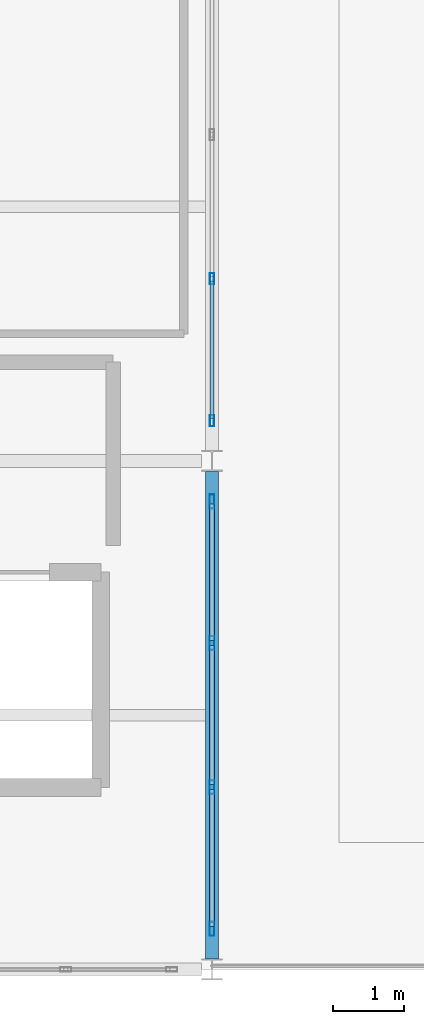
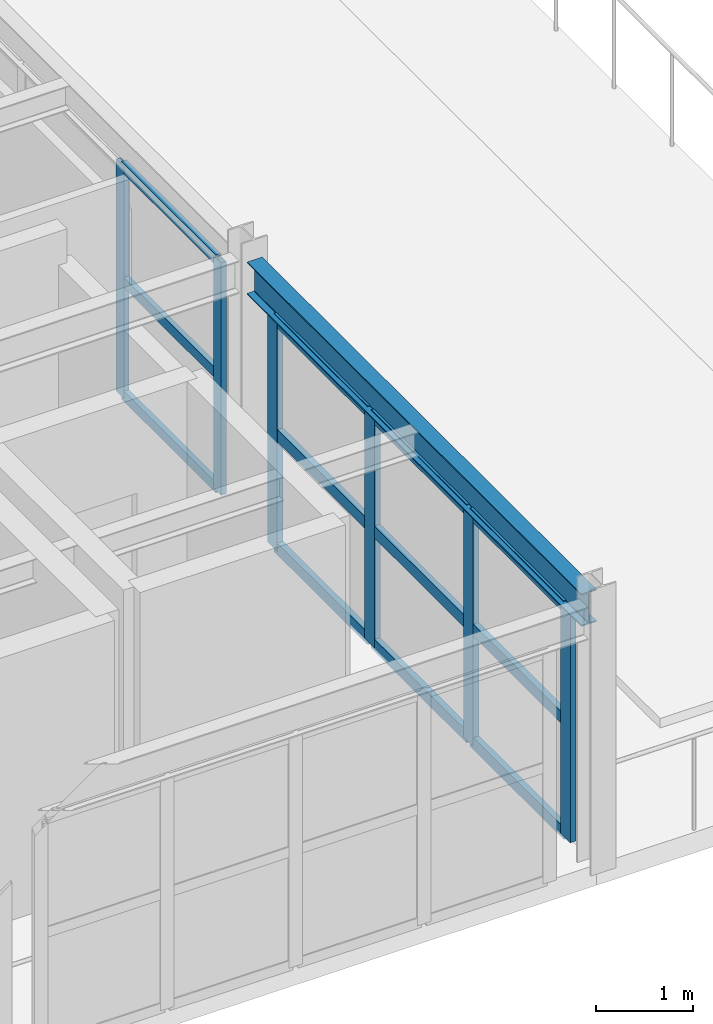
# One storey, part 44 of 73: 18 members, 1 beam, 2 elements without a shape of their own.
"""IFC4 building model written with IfcOpenShell, lengths in metres."""

from ifc_helpers import new_model, si_unit, direction, frame, origin, origin_2d, place, context, subcontext, project, spatial, hollow_rectangle, i_section, extrude, material, layer, layer_set, material_profile, profile_set, type_object, element, aggregate, save


model = new_model("IFC4")

# Units and contexts
model_context = context("Model", 3, precision=1e-05, world=origin(), true_north=direction((0.0, 1.0)))
body_context = subcontext(model_context, "Body", "Model", "MODEL_VIEW")
ifc_project = project(units=[si_unit("LENGTHUNIT", "METRE"), si_unit("AREAUNIT", "SQUARE_METRE"), si_unit("VOLUMEUNIT", "CUBIC_METRE"), si_unit("PLANEANGLEUNIT", "RADIAN"), si_unit("MASSUNIT", "GRAM", prefix="KILO")], contexts=[model_context])

# Site, building, storey
site_placement = place(None, origin())
site = spatial("IfcSite", under=ifc_project, at=site_placement, CompositionType="ELEMENT")
building_placement = place(site_placement, origin())
building = spatial("IfcBuilding", under=site, at=building_placement, Name="Carrowvane Square Congress Hotel", CompositionType="ELEMENT")
storey_placement = place(building_placement, frame((0.0, 0.0, 19.199951171875)))
storey = spatial("IfcBuildingStorey", under=building, at=storey_placement, Name="L04", CompositionType="ELEMENT", Elevation=19.199951171875)

# Beam
ifc_material_1 = material(Name="Steel S355", Category="steel")
ifc_material_profile_1 = material_profile(ifc_material_1, i_section(OverallWidth=0.1787109375, OverallDepth=0.409423828125, WebThickness=0.0087890625, FlangeThickness=0.014404296875, FilletRadius=0.01025390625, at=origin_2d()), Name="UKB 406x178x67")
ifc_profile_set_1 = profile_set([ifc_material_profile_1], Name="Steel S355")
beam_type = type_object("IfcBeamType", Name="BM-ST-UKB406", PredefinedType="BEAM", material=ifc_profile_set_1)
beam_placement = place(storey_placement, frame((177.199951171875, 55.949951171875, 3.145263671875), z_axis=(0.0, 1.0, 0.0), x_axis=(-1.0, 0.0, 0.0)))
element("IfcBeam", 1, at=beam_placement, inside=storey, type_object=beam_type, Name="L05 girder 24/H-J", PredefinedType="BEAM", context=body_context, shape_type="SweptSolid", body=[
    extrude(i_section(OverallWidth=0.1787109375, OverallDepth=0.409423828125, WebThickness=0.0087890625, FlangeThickness=0.014404296875, FilletRadius=0.01025390625, at=origin_2d()), origin(), (0.0, 0.0, 1.0), 6.900146484375),
])

# Curtain wall, members
ifc_material_2 = material(Name="Anodised aluminium", Category="aluminium")
ifc_layer_1 = layer(ifc_material_2, 0.18603515625)
ifc_layer_set_1 = layer_set([ifc_layer_1], Name="Anodised aluminium")
curtain_wall_type_1 = type_object("IfcCurtainWallType", Name="CW-SYS-3", PredefinedType="NOTDEFINED", material=ifc_layer_set_1)
curtain_wall_1_placement = place(storey_placement, origin())
curtain_wall_1 = element("IfcCurtainWall", 2, at=curtain_wall_1_placement, inside=storey, type_object=curtain_wall_type_1, Name="L04 unitised curtain wall 298", PredefinedType="NOTDEFINED")
ifc_material_3 = material(Name="Anodised aluminium", Category="aluminium")
ifc_material_profile_2 = material_profile(ifc_material_3, hollow_rectangle(XDim=0.06005859375, YDim=0.159912109375, WallThickness=0.00390625, at=origin_2d()), Name="CW-ML 60x160x4")
ifc_profile_set_2 = profile_set([ifc_material_profile_2], Name="Anodised aluminium")
member_type_1 = type_object("IfcMemberType", Name="CW-MUL-1", PredefinedType="MULLION", material=ifc_profile_set_2)
member_1_placement = place(storey_placement, frame((177.199951171875, 65.580078125, 0.0), z_axis=(0.0, 0.0, 1.0), x_axis=(1.0, 0.0, 0.0)))
member_1 = element("IfcMember", 3, at=member_1_placement, type_object=member_type_1, Name="CW-3 mullion 3", PredefinedType="MULLION", context=body_context, shape_type="SweptSolid", body=[
    extrude(hollow_rectangle(XDim=0.06005859375, YDim=0.159912109375, WallThickness=0.00390625, at=origin_2d()), origin(), (0.0, 0.0, 1.0), 2.925537109375),
])
member_2_placement = place(storey_placement, frame((177.199951171875, 63.570068359375, 0.0), z_axis=(0.0, 0.0, 1.0), x_axis=(1.0, 0.0, 0.0)))
member_2 = element("IfcMember", 4, at=member_2_placement, type_object=member_type_1, Name="CW-3 mullion 4", PredefinedType="MULLION", context=body_context, shape_type="SweptSolid", body=[
    extrude(hollow_rectangle(XDim=0.06005859375, YDim=0.159912109375, WallThickness=0.00390625, at=origin_2d()), origin(), (0.0, 0.0, 1.0), 2.925537109375),
])

ifc_material_4 = material(Name="Anodised aluminium", Category="aluminium")
ifc_layer_2 = layer(ifc_material_4, 0.197998046875)
ifc_layer_set_2 = layer_set([ifc_layer_2], Name="Anodised aluminium")
curtain_wall_type_2 = type_object("IfcCurtainWallType", Name="CW-SYS-4", PredefinedType="NOTDEFINED", material=ifc_layer_set_2)
curtain_wall_2_placement = place(storey_placement, origin())
curtain_wall_2 = element("IfcCurtainWall", 5, at=curtain_wall_2_placement, inside=storey, type_object=curtain_wall_type_2, Name="L04 unitised curtain wall 299", PredefinedType="NOTDEFINED")
ifc_material_5 = material(Name="Anodised aluminium", Category="aluminium")
ifc_material_profile_3 = material_profile(ifc_material_5, hollow_rectangle(XDim=0.070068359375, YDim=0.199951171875, WallThickness=0.0048828125, at=origin_2d()), Name="CW-ML 70x200x5")
ifc_profile_set_3 = profile_set([ifc_material_profile_3], Name="Anodised aluminium")
member_type_2 = type_object("IfcMemberType", Name="CW-MUL-2", PredefinedType="MULLION", material=ifc_profile_set_3)
member_3_placement = place(storey_placement, frame((177.199951171875, 62.425048828125, 0.0), z_axis=(0.0, 0.0, 1.0), x_axis=(1.0, 0.0, 0.0)))
member_3 = element("IfcMember", 6, at=member_3_placement, type_object=member_type_2, Name="CW-4 mullion 1", PredefinedType="MULLION", context=body_context, shape_type="SweptSolid", body=[
    extrude(hollow_rectangle(XDim=0.070068359375, YDim=0.199951171875, WallThickness=0.0048828125, at=origin_2d()), origin(), (0.0, 0.0, 1.0), 2.925537109375),
])
member_4_placement = place(storey_placement, frame((177.199951171875, 60.419921875, 0.0), z_axis=(0.0, 0.0, 1.0), x_axis=(1.0, 0.0, 0.0)))
member_4 = element("IfcMember", 7, at=member_4_placement, type_object=member_type_2, Name="CW-4 mullion 2", PredefinedType="MULLION", context=body_context, shape_type="SweptSolid", body=[
    extrude(hollow_rectangle(XDim=0.070068359375, YDim=0.199951171875, WallThickness=0.0048828125, at=origin_2d()), origin(), (0.0, 0.0, 1.0), 2.925537109375),
])
member_5_placement = place(storey_placement, frame((177.199951171875, 58.3798828125, 0.0), z_axis=(0.0, 0.0, 1.0), x_axis=(1.0, 0.0, 0.0)))
member_5 = element("IfcMember", 8, at=member_5_placement, type_object=member_type_2, Name="CW-4 mullion 3", PredefinedType="MULLION", context=body_context, shape_type="SweptSolid", body=[
    extrude(hollow_rectangle(XDim=0.070068359375, YDim=0.199951171875, WallThickness=0.0048828125, at=origin_2d()), origin(), (0.0, 0.0, 1.0), 2.925537109375),
])
member_6_placement = place(storey_placement, frame((177.199951171875, 56.375, 0.0), z_axis=(0.0, 0.0, 1.0), x_axis=(1.0, 0.0, 0.0)))
member_6 = element("IfcMember", 9, at=member_6_placement, type_object=member_type_2, Name="CW-4 mullion 4", PredefinedType="MULLION", context=body_context, shape_type="SweptSolid", body=[
    extrude(hollow_rectangle(XDim=0.070068359375, YDim=0.199951171875, WallThickness=0.0048828125, at=origin_2d()), origin(), (0.0, 0.0, 1.0), 2.925537109375),
])

# Member
ifc_material_6 = material(Name="Anodised aluminium", Category="aluminium")
ifc_material_profile_4 = material_profile(ifc_material_6, hollow_rectangle(XDim=0.06005859375, YDim=0.1298828125, WallThickness=0.00390625, at=origin_2d()), Name="CW-TR 60x130x4")
ifc_profile_set_4 = profile_set([ifc_material_profile_4], Name="Anodised aluminium")
member_type_3 = type_object("IfcMemberType", Name="CW-TRN-1", PredefinedType="USERDEFINED", material=ifc_profile_set_4)
member_7_placement = place(storey_placement, frame((177.199951171875, 65.550048828125, 0.030029296875), z_axis=(0.0, -1.0, 0.0), x_axis=(1.0, 0.0, 0.0)))
member_7 = element("IfcMember", 10, at=member_7_placement, type_object=member_type_3, Name="CW-3 transom 3.1", ObjectType="TRANSOM", PredefinedType="USERDEFINED", context=body_context, shape_type="SweptSolid", body=[
    extrude(hollow_rectangle(XDim=0.06005859375, YDim=0.1298828125, WallThickness=0.00390625, at=origin_2d()), origin(), (0.0, 0.0, 1.0), 1.949951171875),
])

member_8_placement = place(storey_placement, frame((177.199951171875, 65.550048828125, 1.462890625), z_axis=(0.0, -1.0, 0.0), x_axis=(1.0, 0.0, 0.0)))
member_8 = element("IfcMember", 11, at=member_8_placement, type_object=member_type_3, Name="CW-3 transom 3.2", ObjectType="TRANSOM", PredefinedType="USERDEFINED", context=body_context, shape_type="SweptSolid", body=[
    extrude(hollow_rectangle(XDim=0.06005859375, YDim=0.1298828125, WallThickness=0.00390625, at=origin_2d()), origin(), (0.0, 0.0, 1.0), 1.949951171875),
])

member_9_placement = place(storey_placement, frame((177.199951171875, 65.550048828125, 2.895751953125), z_axis=(0.0, -1.0, 0.0), x_axis=(1.0, 0.0, 0.0)))
member_9 = element("IfcMember", 12, at=member_9_placement, type_object=member_type_3, Name="CW-3 transom 3.3", ObjectType="TRANSOM", PredefinedType="USERDEFINED", context=body_context, shape_type="SweptSolid", body=[
    extrude(hollow_rectangle(XDim=0.06005859375, YDim=0.1298828125, WallThickness=0.00390625, at=origin_2d()), origin(), (0.0, 0.0, 1.0), 1.949951171875),
])

aggregate(curtain_wall_1, [member_1, member_2, member_7, member_8, member_9])

ifc_material_7 = material(Name="Anodised aluminium", Category="aluminium")
ifc_material_profile_5 = material_profile(ifc_material_7, hollow_rectangle(XDim=0.070068359375, YDim=0.14990234375, WallThickness=0.0048828125, at=origin_2d()), Name="CW-TR 70x150x5")
ifc_profile_set_5 = profile_set([ifc_material_profile_5], Name="Anodised aluminium")
member_type_4 = type_object("IfcMemberType", Name="CW-TRN-2", PredefinedType="USERDEFINED", material=ifc_profile_set_5)
member_10_placement = place(storey_placement, frame((177.199951171875, 62.389892578125, 0.03515625), z_axis=(0.0, -1.0, 0.0), x_axis=(1.0, 0.0, 0.0)))
member_10 = element("IfcMember", 13, at=member_10_placement, type_object=member_type_4, Name="CW-4 transom 1.1", ObjectType="TRANSOM", PredefinedType="USERDEFINED", context=body_context, shape_type="SweptSolid", body=[
    extrude(hollow_rectangle(XDim=0.070068359375, YDim=0.14990234375, WallThickness=0.0048828125, at=origin_2d()), origin(), (0.0, 0.0, 1.0), 1.934814453125),
])

member_11_placement = place(storey_placement, frame((177.199951171875, 62.389892578125, 1.462890625), z_axis=(0.0, -1.0, 0.0), x_axis=(1.0, 0.0, 0.0)))
member_11 = element("IfcMember", 14, at=member_11_placement, type_object=member_type_4, Name="CW-4 transom 1.2", ObjectType="TRANSOM", PredefinedType="USERDEFINED", context=body_context, shape_type="SweptSolid", body=[
    extrude(hollow_rectangle(XDim=0.070068359375, YDim=0.14990234375, WallThickness=0.0048828125, at=origin_2d()), origin(), (0.0, 0.0, 1.0), 1.934814453125),
])

member_12_placement = place(storey_placement, frame((177.199951171875, 62.389892578125, 2.890625), z_axis=(0.0, -1.0, 0.0), x_axis=(1.0, 0.0, 0.0)))
member_12 = element("IfcMember", 15, at=member_12_placement, type_object=member_type_4, Name="CW-4 transom 1.3", ObjectType="TRANSOM", PredefinedType="USERDEFINED", context=body_context, shape_type="SweptSolid", body=[
    extrude(hollow_rectangle(XDim=0.070068359375, YDim=0.14990234375, WallThickness=0.0048828125, at=origin_2d()), origin(), (0.0, 0.0, 1.0), 1.934814453125),
])

member_13_placement = place(storey_placement, frame((177.199951171875, 60.385009765625, 0.03515625), z_axis=(0.0, -1.0, 0.0), x_axis=(1.0, 0.0, 0.0)))
member_13 = element("IfcMember", 16, at=member_13_placement, type_object=member_type_4, Name="CW-4 transom 2.1", ObjectType="TRANSOM", PredefinedType="USERDEFINED", context=body_context, shape_type="SweptSolid", body=[
    extrude(hollow_rectangle(XDim=0.070068359375, YDim=0.14990234375, WallThickness=0.0048828125, at=origin_2d()), origin(), (0.0, 0.0, 1.0), 1.969970703125),
])

member_14_placement = place(storey_placement, frame((177.199951171875, 60.385009765625, 1.462890625), z_axis=(0.0, -1.0, 0.0), x_axis=(1.0, 0.0, 0.0)))
member_14 = element("IfcMember", 17, at=member_14_placement, type_object=member_type_4, Name="CW-4 transom 2.2", ObjectType="TRANSOM", PredefinedType="USERDEFINED", context=body_context, shape_type="SweptSolid", body=[
    extrude(hollow_rectangle(XDim=0.070068359375, YDim=0.14990234375, WallThickness=0.0048828125, at=origin_2d()), origin(), (0.0, 0.0, 1.0), 1.969970703125),
])

member_15_placement = place(storey_placement, frame((177.199951171875, 60.385009765625, 2.890625), z_axis=(0.0, -1.0, 0.0), x_axis=(1.0, 0.0, 0.0)))
member_15 = element("IfcMember", 18, at=member_15_placement, type_object=member_type_4, Name="CW-4 transom 2.3", ObjectType="TRANSOM", PredefinedType="USERDEFINED", context=body_context, shape_type="SweptSolid", body=[
    extrude(hollow_rectangle(XDim=0.070068359375, YDim=0.14990234375, WallThickness=0.0048828125, at=origin_2d()), origin(), (0.0, 0.0, 1.0), 1.969970703125),
])

member_16_placement = place(storey_placement, frame((177.199951171875, 58.344970703125, 0.03515625), z_axis=(0.0, -1.0, 0.0), x_axis=(1.0, 0.0, 0.0)))
member_16 = element("IfcMember", 19, at=member_16_placement, type_object=member_type_4, Name="CW-4 transom 3.1", ObjectType="TRANSOM", PredefinedType="USERDEFINED", context=body_context, shape_type="SweptSolid", body=[
    extrude(hollow_rectangle(XDim=0.070068359375, YDim=0.14990234375, WallThickness=0.0048828125, at=origin_2d()), origin(), (0.0, 0.0, 1.0), 1.93505859375),
])

member_17_placement = place(storey_placement, frame((177.199951171875, 58.344970703125, 1.462890625), z_axis=(0.0, -1.0, 0.0), x_axis=(1.0, 0.0, 0.0)))
member_17 = element("IfcMember", 20, at=member_17_placement, type_object=member_type_4, Name="CW-4 transom 3.2", ObjectType="TRANSOM", PredefinedType="USERDEFINED", context=body_context, shape_type="SweptSolid", body=[
    extrude(hollow_rectangle(XDim=0.070068359375, YDim=0.14990234375, WallThickness=0.0048828125, at=origin_2d()), origin(), (0.0, 0.0, 1.0), 1.93505859375),
])

member_18_placement = place(storey_placement, frame((177.199951171875, 58.344970703125, 2.890625), z_axis=(0.0, -1.0, 0.0), x_axis=(1.0, 0.0, 0.0)))
member_18 = element("IfcMember", 21, at=member_18_placement, type_object=member_type_4, Name="CW-4 transom 3.3", ObjectType="TRANSOM", PredefinedType="USERDEFINED", context=body_context, shape_type="SweptSolid", body=[
    extrude(hollow_rectangle(XDim=0.070068359375, YDim=0.14990234375, WallThickness=0.0048828125, at=origin_2d()), origin(), (0.0, 0.0, 1.0), 1.93505859375),
])

aggregate(curtain_wall_2, [member_3, member_4, member_5, member_6, member_10, member_11, member_12, member_13, member_14, member_15, member_16, member_17, member_18])

save(model, "model.ifc")
